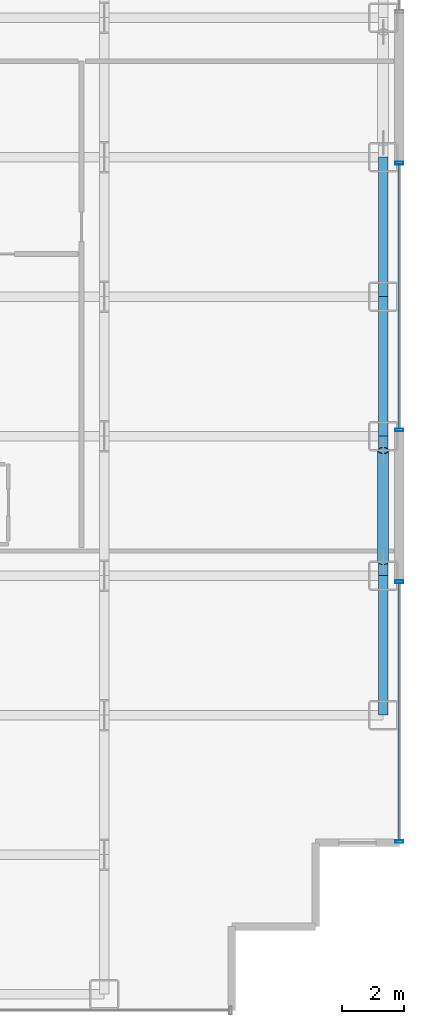
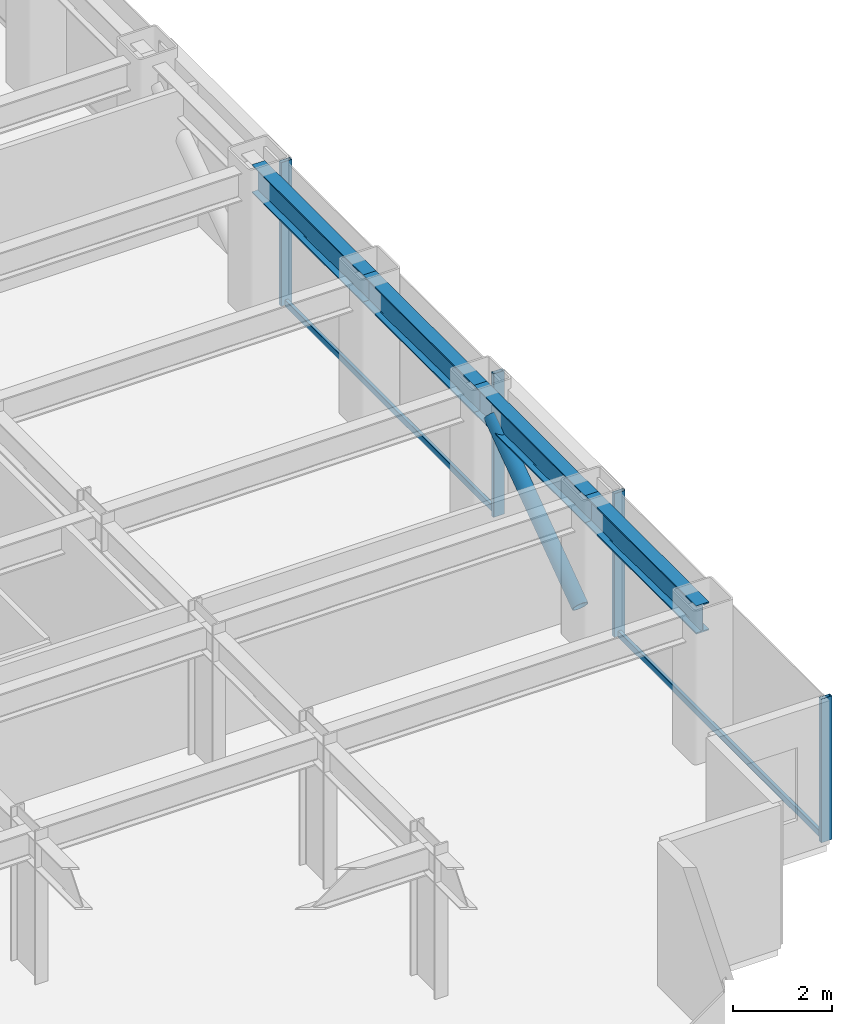
# One storey, part 18 of 29: 7 members, 4 beams, 2 elements without a shape of their own.
"""IFC4 building model written with IfcOpenShell, lengths in metres."""

from ifc_helpers import new_model, si_unit, direction, frame, origin, origin_2d, place, context, subcontext, project, spatial, hollow_rectangle, hollow_circle, i_section, extrude, source, transform, mapped, material, layer, layer_set, material_profile, profile_set, type_object, element, aggregate, save


model = new_model("IFC4")

# Units and contexts
model_context = context("Model", 3, precision=1e-05, world=origin(), true_north=direction((0.0, 1.0)))
body_context = subcontext(model_context, "Body", "Model", "MODEL_VIEW")
ifc_project = project(units=[si_unit("LENGTHUNIT", "METRE"), si_unit("AREAUNIT", "SQUARE_METRE"), si_unit("VOLUMEUNIT", "CUBIC_METRE"), si_unit("PLANEANGLEUNIT", "RADIAN"), si_unit("MASSUNIT", "GRAM", prefix="KILO")], contexts=[model_context])

# Site, building, storey
site_placement = place(None, origin())
site = spatial("IfcSite", under=ifc_project, at=site_placement, CompositionType="ELEMENT")
building_placement = place(site_placement, origin())
building = spatial("IfcBuilding", under=site, at=building_placement, Name="Nefas-Gora Pilgrimage Tower", CompositionType="ELEMENT")
storey_placement = place(building_placement, frame((0.0, 0.0, 78.60009765625)))
storey = spatial("IfcBuildingStorey", under=building, at=storey_placement, Name="L18", CompositionType="ELEMENT", Elevation=78.60009765625)

# Beams
ifc_material_1 = material(Name="Steel S355", Category="steel")
ifc_material_profile_1 = material_profile(ifc_material_1, i_section(OverallWidth=0.300048828125, OverallDepth=0.699951171875, WebThickness=0.01708984375, FlangeThickness=0.031982421875, FilletRadius=0.027099609375, at=origin_2d()), Name="HEB 700")
ifc_profile_set_1 = profile_set([ifc_material_profile_1], Name="Steel S355")
beam_type = type_object("IfcBeamType", Name="BM-SPN-HEB600", PredefinedType="SPANDREL", material=ifc_profile_set_1)
shared_shape_1 = source(origin(), body_context, "Body", "SweptSolid", [
    extrude(i_section(OverallWidth=0.300048828125, OverallDepth=0.699951171875, WebThickness=0.01708984375, FlangeThickness=0.031982421875, FilletRadius=0.027099609375, at=origin_2d()), origin(), (0.0, 0.0, 1.0), 4.5),
])
for number, where, z_axis, x_axis, name in (
    (1, (33.75, -13.5, 3.199951171875), (0.0, 1.0, 0.0), (-1.0, 0.0, 0.0), "L18 SP-01 beam"),
    (2, (33.75, -9.0, 3.199951171875), (0.0, 1.0, 0.0), (-1.0, 0.0, 0.0), "L18 SP-01 beam"),
    (3, (33.75, -4.5, 3.199951171875), (0.0, 1.0, 0.0), (-1.0, 0.0, 0.0), "L18 SP-01 beam"),
    (4, (33.75, 0.0, 3.199951171875), (0.0, 1.0, 0.0), (-1.0, 0.0, 0.0), "L18 SP-01 beam"),
):
    element("IfcBeam", number, at=place(storey_placement, frame(where, z_axis=z_axis, x_axis=x_axis)), inside=storey, type_object=beam_type, Name=name, PredefinedType="SPANDREL", context=body_context, shape_type="MappedRepresentation", body=[
        mapped(shared_shape_1, transform((0.0, 0.0, 0.0), x_axis=(1.0, 0.0, 0.0), y_axis=(0.0, 1.0, 0.0), z_axis=(0.0, 0.0, 1.0), scale=1.0)),
    ])

# Member
ifc_material_2 = material(Name="Steel S460", Category="steel")
ifc_material_profile_2 = material_profile(ifc_material_2, hollow_circle(Radius=0.177734375, WallThickness=0.02001953125, at=origin_2d()), Name="CHS 355.6x20")
ifc_profile_set_2 = profile_set([ifc_material_profile_2], Name="Steel S460")
member_type_1 = type_object("IfcMemberType", Name="MEM-TUBE-356", PredefinedType="BRACE", material=ifc_profile_set_2)
shared_shape_2 = source(origin(), body_context, "Body", "SweptSolid", [
    extrude(hollow_circle(Radius=0.177734375, WallThickness=0.02001953125, at=origin_2d()), origin(), (0.0, 0.0, 1.0), 4.39501953125),
])
member_1_placement = place(storey_placement, frame((33.75, -8.537109375, 0.481201171875), z_axis=(0.0, 0.813264026864, 0.581894855287), x_axis=(-1.0, 0.0, 0.0)))
element("IfcMember", 5, at=member_1_placement, inside=storey, type_object=member_type_1, Name="L18 Perimeter Tube Diagonal Brace E1", PredefinedType="BRACE", context=body_context, shape_type="MappedRepresentation", body=[
    mapped(shared_shape_2, transform((0.0, 0.0, 0.0), x_axis=(1.0, 0.0, 0.0), y_axis=(0.0, 1.0, 0.0), z_axis=(0.0, 0.0, 1.0), scale=1.0)),
])

# Curtain wall, member
ifc_material_3 = material(Name="Dark ceramic-fritted solar-control aluminium-glass curtain wall", Category="aluminium")
ifc_layer = layer(ifc_material_3, 0.219970703125)
ifc_layer_set = layer_set([ifc_layer], Name="Dark ceramic-fritted solar-control aluminium-glass curtain wall")
curtain_wall_type = type_object("IfcCurtainWallType", Name="CW-SYS-2", PredefinedType="NOTDEFINED", material=ifc_layer_set)
curtain_wall_1_placement = place(storey_placement, origin())
curtain_wall_1 = element("IfcCurtainWall", 6, at=curtain_wall_1_placement, inside=storey, type_object=curtain_wall_type, Name="L18 Unitised Curtain Wall CW2", PredefinedType="NOTDEFINED")
ifc_material_4 = material(Name="Anodised architectural aluminium", Category="aluminium")
ifc_material_profile_3 = material_profile(ifc_material_4, hollow_rectangle(XDim=0.080078125, YDim=0.159912109375, WallThickness=0.00439453125, InnerFilletRadius=0.00439453125, OuterFilletRadius=0.009033203125, at=origin_2d()), Name="ALU TRANSOM 80x160")
ifc_profile_set_3 = profile_set([ifc_material_profile_3], Name="Anodised architectural aluminium")
member_type_2 = type_object("IfcMemberType", Name="CWM-TRN-2", PredefinedType="USERDEFINED", material=ifc_profile_set_3)
shared_shape_3 = source(origin(), body_context, "Body", "SweptSolid", [
    extrude(hollow_rectangle(XDim=0.080078125, YDim=0.159912109375, WallThickness=0.00439453125, InnerFilletRadius=0.00439453125, OuterFilletRadius=0.009033203125, at=origin_2d()), origin(), (0.0, 0.0, 1.0), 8.2900390625),
])
member_2_placement = place(storey_placement, frame((34.27001953125, -17.530029296875, 0.0498046875), z_axis=(0.0, 1.0, 0.0), x_axis=(-1.0, 0.0, 0.0)))
member_2 = element("IfcMember", 7, at=member_2_placement, type_object=member_type_2, Name="CW2 Spandrel Transom", ObjectType="TRANSOM", PredefinedType="USERDEFINED", context=body_context, shape_type="MappedRepresentation", body=[
    mapped(shared_shape_3, transform((0.0, 0.0, 0.0), x_axis=(1.0, 0.0, 0.0), y_axis=(0.0, 1.0, 0.0), z_axis=(0.0, 0.0, 1.0), scale=1.0)),
])

curtain_wall_2_placement = place(storey_placement, origin())
curtain_wall_2 = element("IfcCurtainWall", 8, at=curtain_wall_2_placement, inside=storey, type_object=curtain_wall_type, Name="L18 Unitised Curtain Wall CW2", PredefinedType="NOTDEFINED")
shared_shape_4 = source(origin(), body_context, "Body", "SweptSolid", [
    extrude(hollow_rectangle(XDim=0.080078125, YDim=0.159912109375, WallThickness=0.00439453125, InnerFilletRadius=0.00439453125, OuterFilletRadius=0.009033203125, at=origin_2d()), origin(), (0.0, 0.0, 1.0), 8.52001953125),
])
member_3_placement = place(storey_placement, frame((34.27001953125, -4.260009765625, 0.0498046875), z_axis=(0.0, 1.0, 0.0), x_axis=(-1.0, 0.0, 0.0)))
member_3 = element("IfcMember", 9, at=member_3_placement, type_object=member_type_2, Name="CW2 Spandrel Transom", ObjectType="TRANSOM", PredefinedType="USERDEFINED", context=body_context, shape_type="MappedRepresentation", body=[
    mapped(shared_shape_4, transform((0.0, 0.0, 0.0), x_axis=(1.0, 0.0, 0.0), y_axis=(0.0, 1.0, 0.0), z_axis=(0.0, 0.0, 1.0), scale=1.0)),
])

# Member
ifc_material_profile_4 = material_profile(ifc_material_4, hollow_rectangle(XDim=0.090087890625, YDim=0.260009765625, WallThickness=0.006103515625, InnerFilletRadius=0.006103515625, OuterFilletRadius=0.011962890625, at=origin_2d()), Name="ALU MULLION 90x260")
ifc_profile_set_4 = profile_set([ifc_material_profile_4], Name="Anodised architectural aluminium")
member_type_3 = type_object("IfcMemberType", Name="CWM-MUL-2", PredefinedType="MULLION", material=ifc_profile_set_4)
shared_shape_5 = source(origin(), body_context, "Body", "SweptSolid", [
    extrude(hollow_rectangle(XDim=0.090087890625, YDim=0.260009765625, WallThickness=0.006103515625, InnerFilletRadius=0.006103515625, OuterFilletRadius=0.011962890625, at=origin_2d()), origin(), (0.0, 0.0, 1.0), 3.5498046875),
])
member_4_placement = place(storey_placement, frame((34.27001953125, -17.574951171875, 0.0), z_axis=(0.0, 0.0, 1.0), x_axis=(0.0, 1.0, 0.0)))
member_4 = element("IfcMember", 10, at=member_4_placement, type_object=member_type_3, Name="CW2 Mullion 1", PredefinedType="MULLION", context=body_context, shape_type="MappedRepresentation", body=[
    mapped(shared_shape_5, transform((0.0, 0.0, 0.0), x_axis=(1.0, 0.0, 0.0), y_axis=(0.0, 1.0, 0.0), z_axis=(0.0, 0.0, 1.0), scale=1.0)),
])

member_5_placement = place(storey_placement, frame((34.27001953125, -9.195068359375, 0.0), z_axis=(0.0, 0.0, 1.0), x_axis=(0.0, 1.0, 0.0)))
member_5 = element("IfcMember", 11, at=member_5_placement, type_object=member_type_3, Name="CW2 Mullion 2", PredefinedType="MULLION", context=body_context, shape_type="MappedRepresentation", body=[
    mapped(shared_shape_5, transform((0.0, 0.0, 0.0), x_axis=(1.0, 0.0, 0.0), y_axis=(0.0, 1.0, 0.0), z_axis=(0.0, 0.0, 1.0), scale=1.0)),
])

aggregate(curtain_wall_1, [member_4, member_5, member_2])

member_6_placement = place(storey_placement, frame((34.27001953125, -4.304931640625, 0.0), z_axis=(0.0, 0.0, 1.0), x_axis=(0.0, 1.0, 0.0)))
member_6 = element("IfcMember", 12, at=member_6_placement, type_object=member_type_3, Name="CW2 Mullion 1", PredefinedType="MULLION", context=body_context, shape_type="MappedRepresentation", body=[
    mapped(shared_shape_5, transform((0.0, 0.0, 0.0), x_axis=(1.0, 0.0, 0.0), y_axis=(0.0, 1.0, 0.0), z_axis=(0.0, 0.0, 1.0), scale=1.0)),
])

member_7_placement = place(storey_placement, frame((34.27001953125, 4.304931640625, 0.0), z_axis=(0.0, 0.0, 1.0), x_axis=(0.0, 1.0, 0.0)))
member_7 = element("IfcMember", 13, at=member_7_placement, type_object=member_type_3, Name="CW2 Mullion 2", PredefinedType="MULLION", context=body_context, shape_type="MappedRepresentation", body=[
    mapped(shared_shape_5, transform((0.0, 0.0, 0.0), x_axis=(1.0, 0.0, 0.0), y_axis=(0.0, 1.0, 0.0), z_axis=(0.0, 0.0, 1.0), scale=1.0)),
])

aggregate(curtain_wall_2, [member_6, member_7, member_3])

save(model, "model.ifc")
